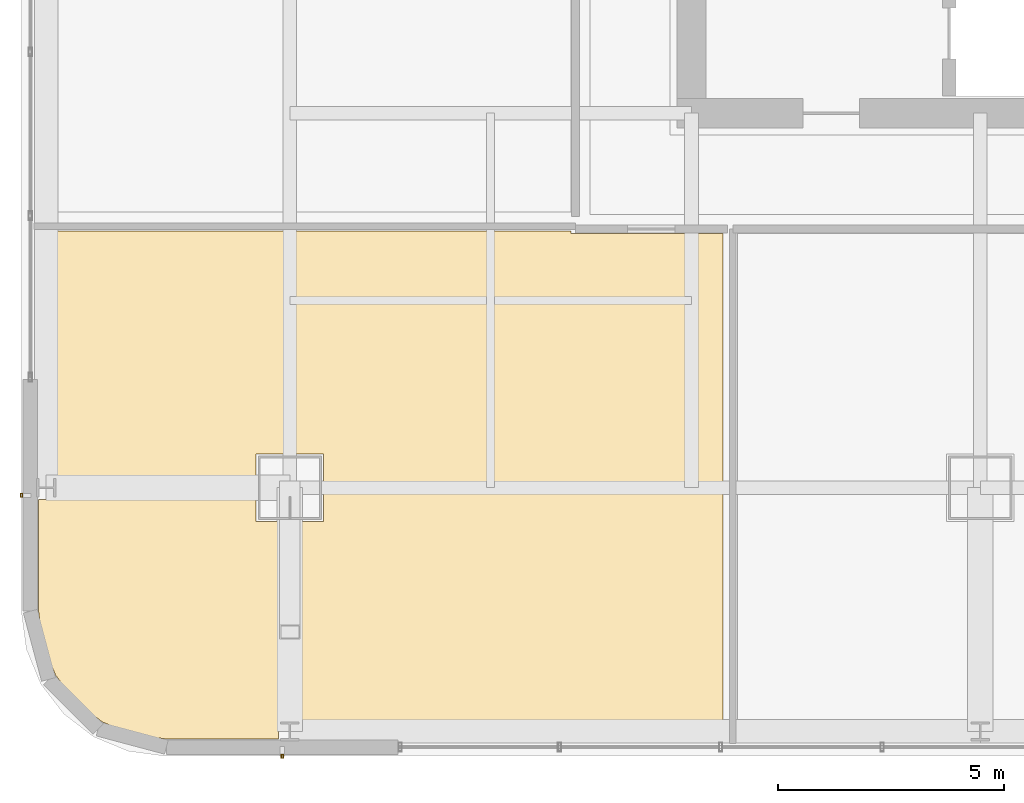
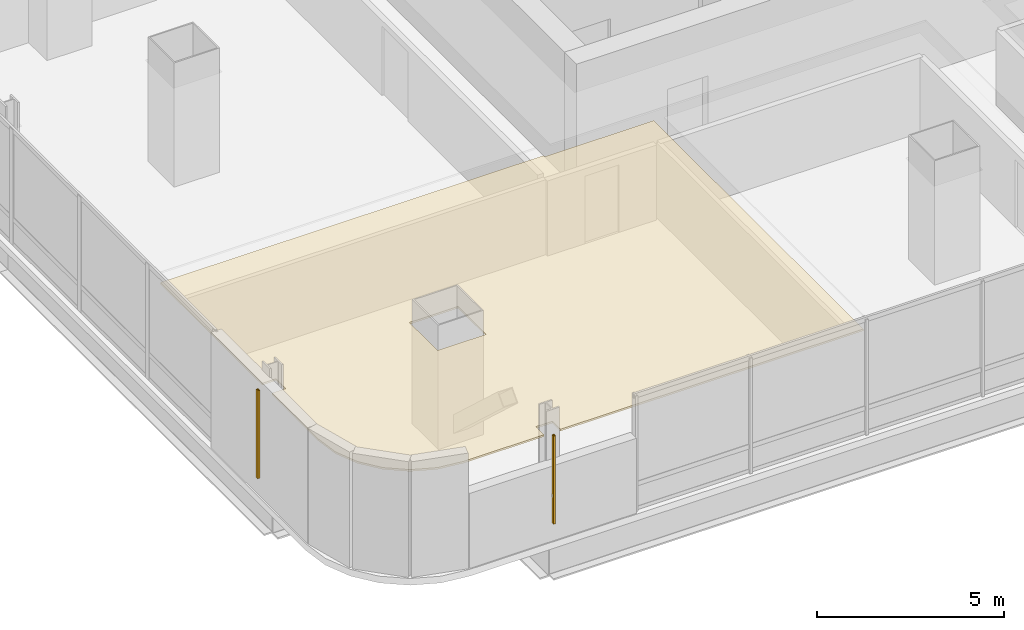
# One storey, part 37 of 46: 2 shading devices, 1 covering.
"""IFC4 building model written with IfcOpenShell, lengths in metres."""

from ifc_helpers import new_model, si_unit, direction, frame, origin, origin_2d, place, context, subcontext, project, spatial, polyline, hollow_rectangle, outline, extrude, material, layer, layer_set, material_profile, profile_set, type_object, element, save


model = new_model("IFC4")

# Units and contexts
model_context = context("Model", 3, precision=1e-05, world=origin(), true_north=direction((0.0, 1.0)))
body_context = subcontext(model_context, "Body", "Model", "MODEL_VIEW")
ifc_project = project(units=[si_unit("LENGTHUNIT", "METRE"), si_unit("AREAUNIT", "SQUARE_METRE"), si_unit("VOLUMEUNIT", "CUBIC_METRE"), si_unit("PLANEANGLEUNIT", "RADIAN"), si_unit("MASSUNIT", "GRAM", prefix="KILO")], contexts=[model_context])

# Site, building, storey
site_placement = place(None, origin())
site = spatial("IfcSite", under=ifc_project, at=site_placement, CompositionType="ELEMENT")
building_placement = place(site_placement, origin())
building = spatial("IfcBuilding", under=site, at=building_placement, Name="Punatoya Terracotta Tower", CompositionType="ELEMENT")
storey_placement = place(building_placement, frame((0.0, 0.0, 200.550048828125)))
storey = spatial("IfcBuildingStorey", under=building, at=storey_placement, Name="L47", CompositionType="ELEMENT", Elevation=200.550048828125)

# Covering
ifc_material_1 = material(Name="Acoustic Mineral Fibre Ceiling")
ifc_layer = layer(ifc_material_1, 0.06005859375)
ifc_layer_set = layer_set([ifc_layer], Name="Acoustic Mineral Fibre Ceiling")
covering_type = type_object("IfcCoveringType", Name="COV-CEIL-60", PredefinedType="CEILING", material=ifc_layer_set)
covering_placement = place(storey_placement, frame((0.0, 0.0, 3.219970703125)))
element("IfcCovering", 1, at=covering_placement, inside=storey, type_object=covering_type, Name="L47 Materials Testing Laboratory Acoustic Ceiling", PredefinedType="CEILING", context=body_context, shape_type="SweptSolid", body=[
    extrude(outline(polyline([(-12.8701171875, -11.8701171875), (-12.8701171875, -11.81005859375), (-24.669921875, -11.81005859375), (-24.669921875, -17.237548828125), (-24.24560546875, -17.237548828125), (-24.24560546875, -17.762451171875), (-24.669921875, -17.762451171875), (-24.669921875, -20.22509765625), (-24.57080078125, -20.97900390625), (-24.289306640625, -21.658203125), (-23.841796875, -22.24169921875), (-23.25830078125, -22.689453125), (-22.5791015625, -22.970703125), (-21.8251953125, -23.070068359375), (-19.3544921875, -23.070068359375), (-19.3544921875, -22.637451171875), (-18.845458984375, -22.637451171875), (-18.845458984375, -23.070068359375), (-9.5048828125, -23.070068359375), (-9.5048828125, -11.8701171875), (-12.8701171875, -11.8701171875)]), holes=[polyline([(-19.85009765625, -18.25), (-19.85009765625, -16.75), (-18.35009765625, -16.75), (-18.35009765625, -18.25), (-19.85009765625, -18.25)])]), origin(), (0.0, 0.0, 1.0), 0.06005859375),
])

# Shading devices
ifc_material_2 = material(Name="Architectural Fired Terracotta", Category="masonry")
ifc_material_profile = material_profile(ifc_material_2, hollow_rectangle(XDim=0.06005859375, YDim=0.090087890625, WallThickness=0.013916015625, at=origin_2d()))
ifc_profile_set = profile_set([ifc_material_profile], Name="Architectural Fired Terracotta")
shading_device_type = type_object("IfcShadingDeviceType", Name="SHD-JALI-90", PredefinedType="JALOUSIE", material=ifc_profile_set)
for number, where, z_axis, x_axis, name in (
    (2, (-19.2685546875, -23.449951171875, 0.599853515625), (0.0, 0.0, 1.0), (1.0, 0.0, 0.0), "L47 Braced Bay Terracotta Jali Fin S1"),
    (3, (-25.050048828125, -17.66845703125, 0.599853515625), (0.0, 0.0, 1.0), (1.0, 0.0, 0.0), "L47 Braced Bay Terracotta Jali Fin W2"),
):
    element("IfcShadingDevice", number, at=place(storey_placement, frame(where, z_axis=z_axis, x_axis=x_axis)), inside=storey, type_object=shading_device_type, Name=name, PredefinedType="JALOUSIE", context=body_context, shape_type="SweptSolid", body=[
        extrude(hollow_rectangle(XDim=0.06005859375, YDim=0.090087890625, WallThickness=0.013916015625, at=origin_2d()), origin(), (0.0, 0.0, 1.0), 2.8701171875),
    ])

save(model, "model.ifc")
